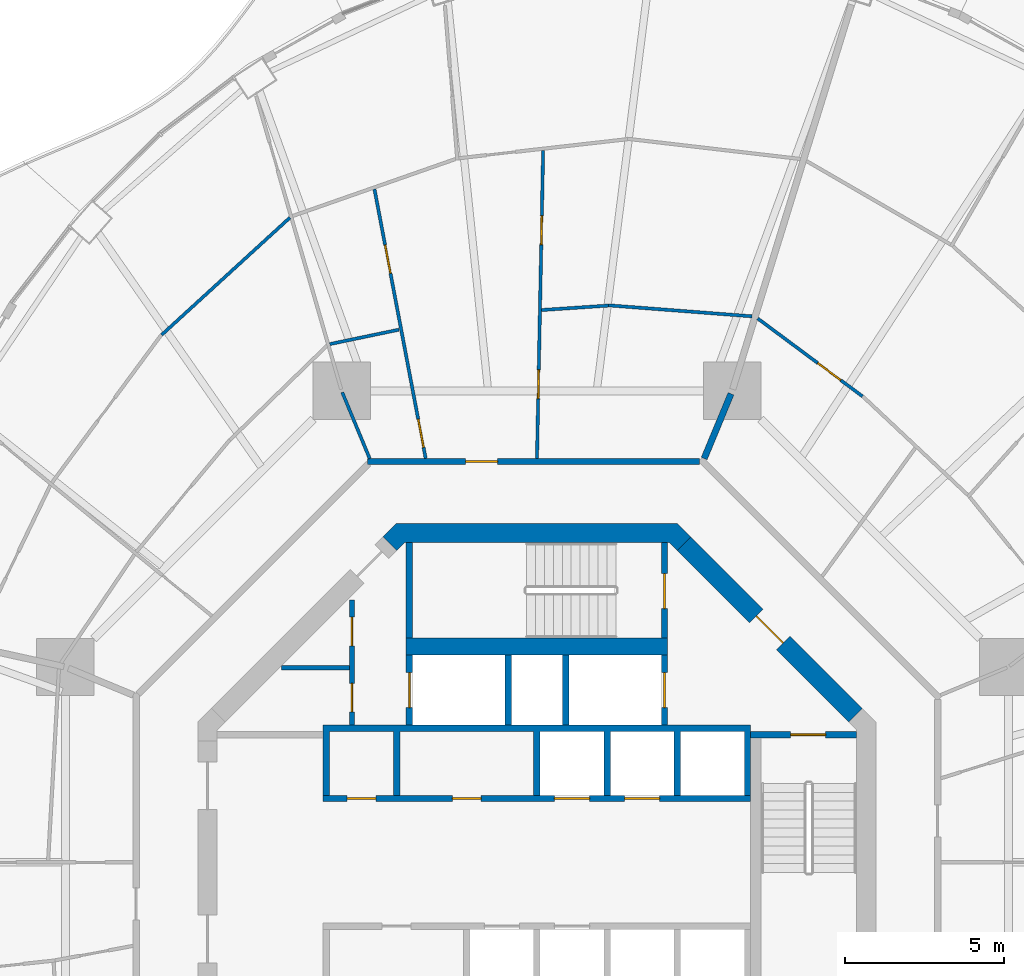
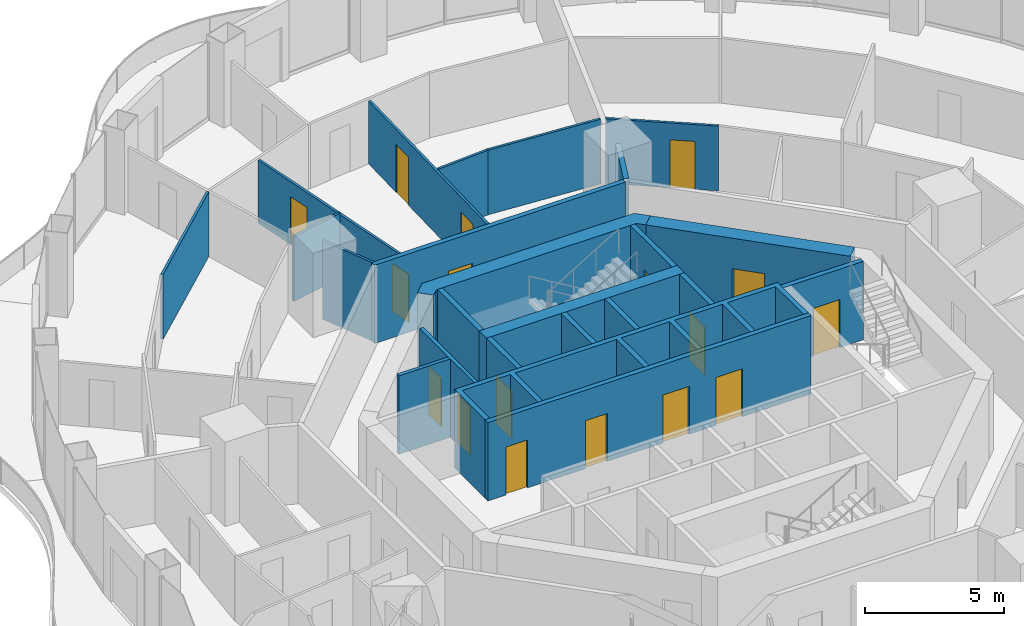
# One storey, part 14 of 19: 24 walls, 17 doors, 17 openings.
"""IFC4 building model written with IfcOpenShell, lengths in metres."""

from ifc_helpers import new_model, si_unit, direction, frame, frame_2d, origin, place, context, subcontext, project, spatial, polyline, rectangle, outline, extrude, material, layer, layer_set, type_object, element, fill, save


model = new_model("IFC4")

# Units and contexts
model_context = context("Model", 3, precision=1e-05, world=origin(), true_north=direction((0.0, 1.0)))
body_context = subcontext(model_context, "Body", "Model", "MODEL_VIEW")
ifc_project = project(units=[si_unit("LENGTHUNIT", "METRE"), si_unit("AREAUNIT", "SQUARE_METRE"), si_unit("VOLUMEUNIT", "CUBIC_METRE"), si_unit("PLANEANGLEUNIT", "RADIAN"), si_unit("MASSUNIT", "GRAM", prefix="KILO")], contexts=[model_context])

# Site, building, storey
site_placement = place(None, origin())
site = spatial("IfcSite", under=ifc_project, at=site_placement, CompositionType="ELEMENT")
building_placement = place(site_placement, origin())
building = spatial("IfcBuilding", under=site, at=building_placement, Name="Nagisa Residences", CompositionType="ELEMENT")
storey_placement = place(building_placement, frame((0.0, 0.0, 173.300048828125)))
storey = spatial("IfcBuildingStorey", under=building, at=storey_placement, Name="L43", CompositionType="ELEMENT", Elevation=173.300048828125)

# Wall
ifc_material_1 = material(Name="Gypsum board on steel studs", Category="steel")
ifc_layer_1 = layer(ifc_material_1, 0.199951171875)
ifc_layer_set_1 = layer_set([ifc_layer_1], Name="Apartment compartment wall EI60 200")
wall_type_1 = type_object("IfcWallType", Name="Apartment compartment wall EI60 200", PredefinedType="PARTITIONING", material=ifc_layer_set_1)
wall_1_placement = place(storey_placement, frame((5.24267578125, 12.6572265625, 0.0), z_axis=(0.0, 0.0, 1.0), x_axis=(0.382747093259, 0.923853160736, 0.0)))
element("IfcWall", 1, at=wall_1_placement, inside=storey, type_object=wall_type_1, Name="wall:L43:u00", PredefinedType="PARTITIONING", context=body_context, shape_type="SweptSolid", body=[
    extrude(rectangle(XDim=2.199951171875, YDim=0.199951171875, at=frame_2d((1.10009765625, 0.0))), origin(), (0.0, 0.0, 1.0), 3.43994140625),
])

# Wall, opening, door
ifc_material_2 = material(Name="Gypsum board on steel studs", Category="steel")
ifc_layer_2 = layer(ifc_material_2, 0.199951171875)
ifc_layer_set_2 = layer_set([ifc_layer_2], Name="Apartment entry wall EI60 200")
wall_type_2 = type_object("IfcWallType", Name="Apartment entry wall EI60 200", PredefinedType="PARTITIONING", material=ifc_layer_set_2)
wall_2_placement = place(storey_placement, frame((5.1044921875, 12.564697265625, 0.0), z_axis=(0.0, 0.0, 1.0), x_axis=(-1.0, 0.0, 0.0)))
wall_2 = element("IfcWall", 2, at=wall_2_placement, inside=storey, type_object=wall_type_2, Name="wall:L43:u10", PredefinedType="PARTITIONING", context=body_context, shape_type="SweptSolid", body=[
    extrude(rectangle(XDim=10.408935546875, YDim=0.199951171875, at=frame_2d((5.20458984375, 0.0))), origin(), (0.0, 0.0, 1.0), 3.43994140625),
])
opening_1_placement = place(wall_2_placement, frame((6.33935546875, 0.0, 0.0)))
opening_1 = element("IfcOpeningElement", 3, at=opening_1_placement, cuts=wall_2, Name="Opening L43-U15", PredefinedType="OPENING", context=body_context, shape_type="SweptSolid", body=[
    extrude(rectangle(XDim=1.0, YDim=2.10009765625, at=frame_2d((0.5, 1.050048828125))), frame((0.0, 0.10986328125, 0.0), z_axis=(0.0, -1.0, 0.0), x_axis=(1.0, 0.0, 0.0)), (0.0, 0.0, 1.0), 0.219970703125),
])
ifc_material_3 = material(Name="Timber fire door set", Category="wood")
door_type_1 = type_object("IfcDoorType", Name="Apartment entry door FD30S 1000x2100", OperationType="NOTDEFINED", PredefinedType="DOOR", material=ifc_material_3)
door_1_placement = place(opening_1_placement, frame((1.0, 0.0, 0.0), x_axis=(-1.0, 0.0, 0.0)))
door_1 = element("IfcDoor", 4, at=door_1_placement, inside=storey, type_object=door_type_1, Name="Entry door, Apartment 43B", OperationType="SINGLE_SWING_RIGHT", OverallHeight=2.10009765625, OverallWidth=1.0, PredefinedType="DOOR", context=body_context, shape_type="SweptSolid", body=[
    extrude(rectangle(XDim=1.0, YDim=2.10009765625, at=frame_2d((0.5, 1.050048828125))), frame((0.0, 0.02490234375, 0.0), z_axis=(0.0, -1.0, 0.0), x_axis=(1.0, 0.0, 0.0)), (0.0, 0.0, 1.0), 0.050048828125),
])
fill(opening_1, door_1)

ifc_material_4 = material(Name="Gypsum board on steel studs", Category="steel")
ifc_layer_3 = layer(ifc_material_4, 0.10009765625)
ifc_layer_set_3 = layer_set([ifc_layer_3], Name="Apartment partition 100")
wall_type_3 = type_object("IfcWallType", Name="Apartment partition 100", PredefinedType="PARTITIONING", material=ifc_layer_set_3)
wall_3_placement = place(storey_placement, frame((10.20654296875, 14.609619140625, 0.0), z_axis=(0.0, 0.0, 1.0), x_axis=(-0.802769141821, 0.596289950394, 0.0)))
wall_3 = element("IfcWall", 5, at=wall_3_placement, inside=storey, type_object=wall_type_3, Name="wall:L43:u32", PredefinedType="PARTITIONING", context=body_context, shape_type="SweptSolid", body=[
    extrude(rectangle(XDim=4.09228515625, YDim=0.10009765625, at=frame_2d((2.046142578125, 0.0))), origin(), (0.0, 0.0, 1.0), 2.8369140625),
])
opening_2_placement = place(wall_3_placement, frame((0.848388671875, 0.0, 0.0)))
opening_2 = element("IfcOpeningElement", 6, at=opening_2_placement, cuts=wall_3, Name="Opening L43-U14", PredefinedType="OPENING", context=body_context, shape_type="SweptSolid", body=[
    extrude(rectangle(XDim=0.89990234375, YDim=2.10009765625, at=frame_2d((0.449951171875, 1.050048828125))), frame((0.0, 0.06005859375, 0.0), z_axis=(0.0, -1.0, 0.0), x_axis=(1.0, 0.0, 0.0)), (0.0, 0.0, 1.0), 0.1201171875),
])
ifc_material_5 = material(Name="Timber door set", Category="wood")
door_type_2 = type_object("IfcDoorType", Name="Apartment door 900x2100", OperationType="NOTDEFINED", PredefinedType="DOOR", material=ifc_material_5)
door_2_placement = place(opening_2_placement, origin())
door_2 = element("IfcDoor", 7, at=door_2_placement, inside=storey, type_object=door_type_2, Name="Door to laundry, Apartment 43A", OperationType="SINGLE_SWING_RIGHT", OverallHeight=2.10009765625, OverallWidth=0.89990234375, PredefinedType="DOOR", context=body_context, shape_type="SweptSolid", body=[
    extrude(rectangle(XDim=0.89990234375, YDim=2.10009765625, at=frame_2d((0.449951171875, 1.050048828125))), frame((0.0, 0.02490234375, 0.0), z_axis=(0.0, -1.0, 0.0), x_axis=(1.0, 0.0, 0.0)), (0.0, 0.0, 1.0), 0.050048828125),
])
fill(opening_2, door_2)

# Walls
wall_4_placement = place(storey_placement, frame((6.7412109375, 17.1171875, 0.0), z_axis=(0.0, 0.0, 1.0), x_axis=(-0.997078320723, 0.076386008825, 0.0)))
element("IfcWall", 8, at=wall_4_placement, inside=storey, type_object=wall_type_3, Name="wall:L43:u35", PredefinedType="PARTITIONING", context=body_context, shape_type="SweptSolid", body=[
    extrude(rectangle(XDim=4.509765625, YDim=0.10009765625, at=frame_2d((2.2548828125, 0.0))), origin(), (0.0, 0.0, 1.0), 2.8369140625),
])
wall_5_placement = place(storey_placement, frame((2.244384765625, 17.45458984375, 0.0), z_axis=(0.0, 0.0, 1.0), x_axis=(-0.997756833447, -0.06694252243, 0.0)))
element("IfcWall", 9, at=wall_5_placement, inside=storey, type_object=wall_type_3, Name="wall:L43:u37", PredefinedType="PARTITIONING", context=body_context, shape_type="SweptSolid", body=[
    extrude(rectangle(XDim=2.104248046875, YDim=0.10009765625, at=frame_2d((1.05224609375, 0.0))), origin(), (0.0, 0.0, 1.0), 2.8369140625),
])

# Wall, openings, doors
wall_6_placement = place(storey_placement, frame((0.001953125, 12.664794921875, 0.0), z_axis=(0.0, 0.0, 1.0), x_axis=(0.019992969345, 0.999800120613, 0.0)))
wall_6 = element("IfcWall", 10, at=wall_6_placement, inside=storey, type_object=wall_type_3, Name="wall:L43:u39", PredefinedType="PARTITIONING", context=body_context, shape_type="SweptSolid", body=[
    extrude(rectangle(XDim=9.6591796875, YDim=0.10009765625, at=frame_2d((4.82958984375, 0.0))), origin(), (0.0, 0.0, 1.0), 2.755859375),
])
opening_3_placement = place(wall_6_placement, frame((1.873291015625, 0.0, 0.0)))
opening_3 = element("IfcOpeningElement", 11, at=opening_3_placement, cuts=wall_6, Name="Opening L43-U16", PredefinedType="OPENING", context=body_context, shape_type="SweptSolid", body=[
    extrude(rectangle(XDim=0.89990234375, YDim=2.10009765625, at=frame_2d((0.449951171875, 1.050048828125))), frame((0.0, 0.06005859375, 0.0), z_axis=(0.0, -1.0, 0.0), x_axis=(1.0, 0.0, 0.0)), (0.0, 0.0, 1.0), 0.1201171875),
])
opening_4_placement = place(wall_6_placement, frame((6.702880859375, 0.0, 0.0)))
opening_4 = element("IfcOpeningElement", 12, at=opening_4_placement, cuts=wall_6, Name="Opening L43-U18", PredefinedType="OPENING", context=body_context, shape_type="SweptSolid", body=[
    extrude(rectangle(XDim=0.89990234375, YDim=2.10009765625, at=frame_2d((0.449951171875, 1.050048828125))), frame((0.0, 0.06005859375, 0.0), z_axis=(0.0, -1.0, 0.0), x_axis=(1.0, 0.0, 0.0)), (0.0, 0.0, 1.0), 0.1201171875),
])
door_3_placement = place(opening_3_placement, frame((0.89990234375, 0.0, 0.0), x_axis=(-1.0, 0.0, 0.0)))
door_3 = element("IfcDoor", 13, at=door_3_placement, inside=storey, type_object=door_type_2, Name="Door to store, Apartment 43B", OperationType="SINGLE_SWING_LEFT", OverallHeight=2.10009765625, OverallWidth=0.89990234375, PredefinedType="DOOR", context=body_context, shape_type="SweptSolid", body=[
    extrude(rectangle(XDim=0.89990234375, YDim=2.10009765625, at=frame_2d((0.449951171875, 1.050048828125))), frame((0.0, 0.02490234375, 0.0), z_axis=(0.0, -1.0, 0.0), x_axis=(1.0, 0.0, 0.0)), (0.0, 0.0, 1.0), 0.050048828125),
])
fill(opening_3, door_3)
door_4_placement = place(opening_4_placement, frame((0.89990234375, 0.0, 0.0), x_axis=(-1.0, 0.0, 0.0)))
door_4 = element("IfcDoor", 14, at=door_4_placement, inside=storey, type_object=door_type_2, Name="Door to study, Apartment 43B", OperationType="SINGLE_SWING_LEFT", OverallHeight=2.10009765625, OverallWidth=0.89990234375, PredefinedType="DOOR", context=body_context, shape_type="SweptSolid", body=[
    extrude(rectangle(XDim=0.89990234375, YDim=2.10009765625, at=frame_2d((0.449951171875, 1.050048828125))), frame((0.0, 0.02490234375, 0.0), z_axis=(0.0, -1.0, 0.0), x_axis=(1.0, 0.0, 0.0)), (0.0, 0.0, 1.0), 0.050048828125),
])
fill(opening_4, door_4)

wall_7_placement = place(storey_placement, frame((-3.48828125, 12.6630859375, 0.0), z_axis=(0.0, 0.0, 1.0), x_axis=(-0.186783185485, 0.982401161247, 0.0)))
wall_7 = element("IfcWall", 15, at=wall_7_placement, inside=storey, type_object=wall_type_3, Name="wall:L43:u42", PredefinedType="PARTITIONING", context=body_context, shape_type="SweptSolid", body=[
    extrude(rectangle(XDim=8.595458984375, YDim=0.10009765625, at=frame_2d((4.2978515625, 0.0))), origin(), (0.0, 0.0, 1.0), 2.755859375),
])
opening_5_placement = place(wall_7_placement, frame((0.35009765625, 0.0, 0.0)))
opening_5 = element("IfcOpeningElement", 16, at=opening_5_placement, cuts=wall_7, Name="Opening L43-U17", PredefinedType="OPENING", context=body_context, shape_type="SweptSolid", body=[
    extrude(rectangle(XDim=0.89990234375, YDim=2.10009765625, at=frame_2d((0.449951171875, 1.050048828125))), frame((0.0, 0.06005859375, 0.0), z_axis=(0.0, -1.0, 0.0), x_axis=(1.0, 0.0, 0.0)), (0.0, 0.0, 1.0), 0.1201171875),
])
opening_6_placement = place(wall_7_placement, frame((5.908447265625, 0.0, 0.0)))
opening_6 = element("IfcOpeningElement", 17, at=opening_6_placement, cuts=wall_7, Name="Opening L43-U19", PredefinedType="OPENING", context=body_context, shape_type="SweptSolid", body=[
    extrude(rectangle(XDim=0.89990234375, YDim=2.10009765625, at=frame_2d((0.449951171875, 1.050048828125))), frame((0.0, 0.06005859375, 0.0), z_axis=(0.0, -1.0, 0.0), x_axis=(1.0, 0.0, 0.0)), (0.0, 0.0, 1.0), 0.1201171875),
])
door_5_placement = place(opening_5_placement, origin())
door_5 = element("IfcDoor", 18, at=door_5_placement, inside=storey, type_object=door_type_2, Name="Door to family bathroom, Apartment 43B", OperationType="SINGLE_SWING_LEFT", OverallHeight=2.10009765625, OverallWidth=0.89990234375, PredefinedType="DOOR", context=body_context, shape_type="SweptSolid", body=[
    extrude(rectangle(XDim=0.89990234375, YDim=2.10009765625, at=frame_2d((0.449951171875, 1.050048828125))), frame((0.0, 0.02490234375, 0.0), z_axis=(0.0, -1.0, 0.0), x_axis=(1.0, 0.0, 0.0)), (0.0, 0.0, 1.0), 0.050048828125),
])
fill(opening_5, door_5)
door_6_placement = place(opening_6_placement, origin())
door_6 = element("IfcDoor", 19, at=door_6_placement, inside=storey, type_object=door_type_2, Name="Door to family bathroom, Apartment 43B", OperationType="SINGLE_SWING_LEFT", OverallHeight=2.10009765625, OverallWidth=0.89990234375, PredefinedType="DOOR", context=body_context, shape_type="SweptSolid", body=[
    extrude(rectangle(XDim=0.89990234375, YDim=2.10009765625, at=frame_2d((0.449951171875, 1.050048828125))), frame((0.0, 0.02490234375, 0.0), z_axis=(0.0, -1.0, 0.0), x_axis=(1.0, 0.0, 0.0)), (0.0, 0.0, 1.0), 0.050048828125),
])
fill(opening_6, door_6)

# Walls
wall_8_placement = place(storey_placement, frame((-4.324462890625, 16.69921875, 0.0), z_axis=(0.0, 0.0, 1.0), x_axis=(-0.978908011866, -0.204301503432, 0.0)))
element("IfcWall", 20, at=wall_8_placement, inside=storey, type_object=wall_type_3, Name="wall:L43:u43", PredefinedType="PARTITIONING", context=body_context, shape_type="SweptSolid", body=[
    extrude(rectangle(XDim=2.218017578125, YDim=0.10009765625, at=frame_2d((1.10888671875, 0.0))), origin(), (0.0, 0.0, 1.0), 2.8369140625),
])
wall_9_placement = place(storey_placement, frame((-5.24267578125, 12.6572265625, 0.0), z_axis=(0.0, 0.0, 1.0), x_axis=(-0.382719158442, 0.923864733477, 0.0)))
element("IfcWall", 21, at=wall_9_placement, inside=storey, type_object=wall_type_3, Name="wall:L43:u44", PredefinedType="PARTITIONING", context=body_context, shape_type="SweptSolid", body=[
    extrude(rectangle(XDim=2.25, YDim=0.10009765625, at=frame_2d((1.125, 0.0))), origin(), (0.0, 0.0, 1.0), 3.43994140625),
])
wall_10_placement = place(storey_placement, frame((-7.743896484375, 20.211669921875, 0.0), z_axis=(0.0, 0.0, 1.0), x_axis=(-0.738051761282, -0.674744097913, 0.0)))
element("IfcWall", 22, at=wall_10_placement, inside=storey, type_object=wall_type_3, Name="wall:L43:u47", PredefinedType="PARTITIONING", context=body_context, shape_type="SweptSolid", body=[
    extrude(rectangle(XDim=5.44921875, YDim=0.10009765625, at=frame_2d((2.724609375, 0.0))), origin(), (0.0, 0.0, 1.0), 2.8369140625),
])

# Wall, openings, doors
ifc_material_6 = material(Name="Gypsum board on steel studs", Category="steel")
ifc_layer_4 = layer(ifc_material_6, 0.14990234375)
ifc_layer_set_4 = layer_set([ifc_layer_4], Name="Core partition 150")
wall_type_4 = type_object("IfcWallType", Name="Core partition 150", PredefinedType="PARTITIONING", material=ifc_layer_set_4)
wall_11_placement = place(storey_placement, frame((-5.800048828125, 4.300048828125, 0.0), z_axis=(0.0, 0.0, 1.0), x_axis=(0.0, 1.0, 0.0)))
wall_11 = element("IfcWall", 23, at=wall_11_placement, inside=storey, type_object=wall_type_4, Name="wall:L43:NWp", PredefinedType="PARTITIONING", context=body_context, shape_type="SweptSolid", body=[
    extrude(rectangle(XDim=3.927001953125, YDim=0.14990234375, at=frame_2d((1.96337890625, 0.0))), origin(), (0.0, 0.0, 1.0), 3.43994140625),
])
opening_7_placement = place(wall_11_placement, frame((0.41259765625, 0.0, 0.0)))
opening_7 = element("IfcOpeningElement", 24, at=opening_7_placement, cuts=wall_11, Name="Opening L43-C11", PredefinedType="OPENING", context=body_context, shape_type="SweptSolid", body=[
    extrude(rectangle(XDim=0.89990234375, YDim=2.10009765625, at=frame_2d((0.449951171875, 1.050048828125))), frame((0.0, 0.0849609375, 0.0), z_axis=(0.0, -1.0, 0.0), x_axis=(1.0, 0.0, 0.0)), (0.0, 0.0, 1.0), 0.169921875),
])
opening_8_placement = place(wall_11_placement, frame((2.488525390625, 0.0, 0.0)))
opening_8 = element("IfcOpeningElement", 25, at=opening_8_placement, cuts=wall_11, Name="Opening L43-C12", PredefinedType="OPENING", context=body_context, shape_type="SweptSolid", body=[
    extrude(rectangle(XDim=0.89990234375, YDim=2.10009765625, at=frame_2d((0.449951171875, 1.050048828125))), frame((0.0, 0.0849609375, 0.0), z_axis=(0.0, -1.0, 0.0), x_axis=(1.0, 0.0, 0.0)), (0.0, 0.0, 1.0), 0.169921875),
])
ifc_material_7 = material(Name="Steel fire door", Category="steel")
door_type_3 = type_object("IfcDoorType", Name="Fire door EI30 900x2100 single swing", OperationType="NOTDEFINED", PredefinedType="DOOR", material=ifc_material_7)
door_7_placement = place(opening_7_placement, origin())
door_7 = element("IfcDoor", 26, at=door_7_placement, inside=storey, type_object=door_type_3, Name="Staff WC door L43", OperationType="SINGLE_SWING_LEFT", OverallHeight=2.10009765625, OverallWidth=0.89990234375, PredefinedType="DOOR", context=body_context, shape_type="SweptSolid", body=[
    extrude(rectangle(XDim=0.89990234375, YDim=2.10009765625, at=frame_2d((0.449951171875, 1.050048828125))), frame((0.0, 0.02490234375, 0.0), z_axis=(0.0, -1.0, 0.0), x_axis=(1.0, 0.0, 0.0)), (0.0, 0.0, 1.0), 0.050048828125),
])
fill(opening_7, door_7)
door_8_placement = place(opening_8_placement, origin())
door_8 = element("IfcDoor", 27, at=door_8_placement, inside=storey, type_object=door_type_3, Name="Janitor door L43", OperationType="SINGLE_SWING_LEFT", OverallHeight=2.10009765625, OverallWidth=0.89990234375, PredefinedType="DOOR", context=body_context, shape_type="SweptSolid", body=[
    extrude(rectangle(XDim=0.89990234375, YDim=2.10009765625, at=frame_2d((0.449951171875, 1.050048828125))), frame((0.0, 0.02490234375, 0.0), z_axis=(0.0, -1.0, 0.0), x_axis=(1.0, 0.0, 0.0)), (0.0, 0.0, 1.0), 0.050048828125),
])
fill(opening_8, door_8)

# Wall
wall_12_placement = place(storey_placement, frame((-8.0009765625, 6.10009765625, 0.0), z_axis=(0.0, 0.0, 1.0), x_axis=(1.0, 0.0, 0.0)))
element("IfcWall", 28, at=wall_12_placement, inside=storey, type_object=wall_type_4, Name="wall:L43:NWq", PredefinedType="PARTITIONING", context=body_context, shape_type="SweptSolid", body=[
    extrude(rectangle(XDim=2.1259765625, YDim=0.14990234375, at=frame_2d((1.06298828125, 0.0))), origin(), (0.0, 0.0, 1.0), 3.43994140625),
])

# Wall, opening, door
ifc_material_8 = material(Name="Concrete C60", Category="concrete")
ifc_layer_5 = layer(ifc_material_8, 0.60009765625)
ifc_layer_set_5 = layer_set([ifc_layer_5], Name="Core shear wall 600")
wall_type_5 = type_object("IfcWallType", Name="Core shear wall 600", PredefinedType="SHEAR", material=ifc_layer_set_5)
wall_13_placement = place(storey_placement, frame((9.98828125, 4.613037109375, 0.0), z_axis=(0.0, 0.0, 1.0), x_axis=(-0.707106781187, 0.707106781187, 0.0)))
wall_13 = element("IfcWall", 29, at=wall_13_placement, inside=storey, type_object=wall_type_5, Name="wall:L43:core:flat1", PredefinedType="SHEAR", context=body_context, shape_type="SweptSolid", body=[
    extrude(rectangle(XDim=7.601806640625, YDim=0.60009765625, at=frame_2d((3.80078125, 0.0))), origin(), (0.0, 0.0, 1.0), 3.43994140625),
])
opening_9_placement = place(wall_13_placement, frame((3.200927734375, 0.0, 0.0)))
opening_9 = element("IfcOpeningElement", 30, at=opening_9_placement, cuts=wall_13, Name="Opening L43-C18", PredefinedType="OPENING", context=body_context, shape_type="SweptSolid", body=[
    extrude(rectangle(XDim=1.199951171875, YDim=2.10009765625, at=frame_2d((0.60009765625, 1.050048828125))), frame((0.0, 0.31005859375, 0.0), z_axis=(0.0, -1.0, 0.0), x_axis=(1.0, 0.0, 0.0)), (0.0, 0.0, 1.0), 0.6201171875),
])
ifc_material_9 = material(Name="Steel fire door", Category="steel")
door_type_4 = type_object("IfcDoorType", Name="Fire door EI60 1200x2100 single swing", OperationType="NOTDEFINED", PredefinedType="DOOR", material=ifc_material_9)
door_9_placement = place(opening_9_placement, origin())
door_9 = element("IfcDoor", 31, at=door_9_placement, inside=storey, type_object=door_type_4, Name="Firefighting lobby 1 door L43", OperationType="SINGLE_SWING_RIGHT", OverallHeight=2.10009765625, OverallWidth=1.199951171875, PredefinedType="DOOR", context=body_context, shape_type="SweptSolid", body=[
    extrude(rectangle(XDim=1.199951171875, YDim=2.10009765625, at=frame_2d((0.60009765625, 1.050048828125))), frame((0.0, 0.02490234375, 0.0), z_axis=(0.0, -1.0, 0.0), x_axis=(1.0, 0.0, 0.0)), (0.0, 0.0, 1.0), 0.050048828125),
])
fill(opening_9, door_9)

# Wall
wall_14_placement = place(storey_placement, origin())
element("IfcWall", 32, at=wall_14_placement, inside=storey, type_object=wall_type_5, Name="wall:L43:core:flat2", PredefinedType="SHEAR", context=body_context, shape_type="SweptSolid", body=[
    extrude(outline(polyline([(-4.15234375, 10.024658203125), (-4.40087890625, 9.776123046875), (-4.8251953125, 10.200439453125), (-4.40087890625, 10.62451171875), (4.40087890625, 10.62451171875), (4.8251953125, 10.200439453125), (4.40087890625, 9.776123046875), (4.15234375, 10.024658203125), (-4.15234375, 10.024658203125)])), origin(), (0.0, 0.0, 1.0), 3.43994140625),
])

# Wall, opening, door
ifc_material_10 = material(Name="Concrete C60", Category="concrete")
ifc_layer_6 = layer(ifc_material_10, 0.199951171875)
ifc_layer_set_6 = layer_set([ifc_layer_6], Name="Lift shaft wall 200")
wall_type_6 = type_object("IfcWallType", Name="Lift shaft wall 200", PredefinedType="SOLIDWALL", material=ifc_layer_set_6)
wall_15_placement = place(storey_placement, frame((4.0, 4.300048828125, 0.0), z_axis=(0.0, 0.0, 1.0), x_axis=(0.0, 1.0, 0.0)))
wall_15 = element("IfcWall", 33, at=wall_15_placement, inside=storey, type_object=wall_type_6, Name="wall:L43:Nb3", PredefinedType="SOLIDWALL", context=body_context, shape_type="SweptSolid", body=[
    extrude(rectangle(XDim=2.199951171875, YDim=0.199951171875, at=frame_2d((1.10009765625, 0.0))), origin(), (0.0, 0.0, 1.0), 3.43994140625),
])
opening_10_placement = place(wall_15_placement, frame((0.550048828125, 0.0, 0.0)))
opening_10 = element("IfcOpeningElement", 34, at=opening_10_placement, cuts=wall_15, Name="Opening L43-C05", PredefinedType="OPENING", context=body_context, shape_type="SweptSolid", body=[
    extrude(rectangle(XDim=1.10009765625, YDim=2.10009765625, at=frame_2d((0.550048828125, 1.050048828125))), frame((0.0, 0.10986328125, 0.0), z_axis=(0.0, -1.0, 0.0), x_axis=(1.0, 0.0, 0.0)), (0.0, 0.0, 1.0), 0.219970703125),
])
ifc_material_11 = material(Name="Stainless steel", Category="steel")
door_type_5 = type_object("IfcDoorType", Name="Lift landing door 1100x2100", OperationType="DOUBLE_DOOR_SLIDING", PredefinedType="DOOR", material=ifc_material_11)
door_10_placement = place(opening_10_placement, origin())
door_10 = element("IfcDoor", 35, at=door_10_placement, inside=storey, type_object=door_type_5, Name="Landing door FL1 L43", OperationType="DOUBLE_DOOR_SLIDING", OverallHeight=2.10009765625, OverallWidth=1.10009765625, PredefinedType="DOOR", context=body_context, shape_type="SweptSolid", body=[
    extrude(rectangle(XDim=1.10009765625, YDim=2.10009765625, at=frame_2d((0.550048828125, 1.050048828125))), frame((0.0, 0.02490234375, 0.0), z_axis=(0.0, -1.0, 0.0), x_axis=(1.0, 0.0, 0.0)), (0.0, 0.0, 1.0), 0.050048828125),
])
fill(opening_10, door_10)

wall_16_placement = place(storey_placement, frame((-4.0, 4.300048828125, 0.0), z_axis=(0.0, 0.0, 1.0), x_axis=(0.0, 1.0, 0.0)))
wall_16 = element("IfcWall", 36, at=wall_16_placement, inside=storey, type_object=wall_type_6, Name="wall:L43:Nb4", PredefinedType="SOLIDWALL", context=body_context, shape_type="SweptSolid", body=[
    extrude(rectangle(XDim=2.199951171875, YDim=0.199951171875, at=frame_2d((1.10009765625, 0.0))), origin(), (0.0, 0.0, 1.0), 3.43994140625),
])
opening_11_placement = place(wall_16_placement, frame((0.550048828125, 0.0, 0.0)))
opening_11 = element("IfcOpeningElement", 37, at=opening_11_placement, cuts=wall_16, Name="Opening L43-C07", PredefinedType="OPENING", context=body_context, shape_type="SweptSolid", body=[
    extrude(rectangle(XDim=1.10009765625, YDim=2.10009765625, at=frame_2d((0.550048828125, 1.050048828125))), frame((0.0, 0.10986328125, 0.0), z_axis=(0.0, -1.0, 0.0), x_axis=(1.0, 0.0, 0.0)), (0.0, 0.0, 1.0), 0.219970703125),
])
door_11_placement = place(opening_11_placement, origin())
door_11 = element("IfcDoor", 38, at=door_11_placement, inside=storey, type_object=door_type_5, Name="Landing door SV L43", OperationType="DOUBLE_DOOR_SLIDING", OverallHeight=2.10009765625, OverallWidth=1.10009765625, PredefinedType="DOOR", context=body_context, shape_type="SweptSolid", body=[
    extrude(rectangle(XDim=1.10009765625, YDim=2.10009765625, at=frame_2d((0.550048828125, 1.050048828125))), frame((0.0, 0.02490234375, 0.0), z_axis=(0.0, -1.0, 0.0), x_axis=(1.0, 0.0, 0.0)), (0.0, 0.0, 1.0), 0.050048828125),
])
fill(opening_11, door_11)

# Wall, openings, doors
wall_17_placement = place(storey_placement, frame((-6.699951171875, 2.0, 0.0), z_axis=(0.0, 0.0, 1.0), x_axis=(1.0, 0.0, 0.0)))
wall_17 = element("IfcWall", 39, at=wall_17_placement, inside=storey, type_object=wall_type_6, Name="wall:L43:Nfront", PredefinedType="SOLIDWALL", context=body_context, shape_type="SweptSolid", body=[
    extrude(rectangle(XDim=13.39990234375, YDim=0.199951171875, at=frame_2d((6.699951171875, 0.0))), origin(), (0.0, 0.0, 1.0), 3.43994140625),
])
opening_12_placement = place(wall_17_placement, frame((7.25, 0.0, 0.0)))
opening_12 = element("IfcOpeningElement", 40, at=opening_12_placement, cuts=wall_17, Name="Opening L43-C01", PredefinedType="OPENING", context=body_context, shape_type="SweptSolid", body=[
    extrude(rectangle(XDim=1.10009765625, YDim=2.10009765625, at=frame_2d((0.550048828125, 1.050048828125))), frame((0.0, 0.10986328125, 0.0), z_axis=(0.0, -1.0, 0.0), x_axis=(1.0, 0.0, 0.0)), (0.0, 0.0, 1.0), 0.219970703125),
])
opening_13_placement = place(wall_17_placement, frame((9.449951171875, 0.0, 0.0)))
opening_13 = element("IfcOpeningElement", 41, at=opening_13_placement, cuts=wall_17, Name="Opening L43-C02", PredefinedType="OPENING", context=body_context, shape_type="SweptSolid", body=[
    extrude(rectangle(XDim=1.10009765625, YDim=2.10009765625, at=frame_2d((0.550048828125, 1.050048828125))), frame((0.0, 0.10986328125, 0.0), z_axis=(0.0, -1.0, 0.0), x_axis=(1.0, 0.0, 0.0)), (0.0, 0.0, 1.0), 0.219970703125),
])
opening_14_placement = place(wall_17_placement, frame((0.75, 0.0, 0.0)))
opening_14 = element("IfcOpeningElement", 42, at=opening_14_placement, cuts=wall_17, Name="Opening L43-C15", PredefinedType="OPENING", context=body_context, shape_type="SweptSolid", body=[
    extrude(rectangle(XDim=0.89990234375, YDim=2.10009765625, at=frame_2d((0.449951171875, 1.050048828125))), frame((0.0, 0.10986328125, 0.0), z_axis=(0.0, -1.0, 0.0), x_axis=(1.0, 0.0, 0.0)), (0.0, 0.0, 1.0), 0.219970703125),
])
opening_15_placement = place(wall_17_placement, frame((4.050048828125, 0.0, 0.0)))
opening_15 = element("IfcOpeningElement", 43, at=opening_15_placement, cuts=wall_17, Name="Opening L43-C16", PredefinedType="OPENING", context=body_context, shape_type="SweptSolid", body=[
    extrude(rectangle(XDim=0.89990234375, YDim=2.10009765625, at=frame_2d((0.449951171875, 1.050048828125))), frame((0.0, 0.10986328125, 0.0), z_axis=(0.0, -1.0, 0.0), x_axis=(1.0, 0.0, 0.0)), (0.0, 0.0, 1.0), 0.219970703125),
])
door_12_placement = place(opening_14_placement, origin())
door_12 = element("IfcDoor", 44, at=door_12_placement, inside=storey, type_object=door_type_3, Name="Stationery store door L43", OperationType="SINGLE_SWING_RIGHT", OverallHeight=2.10009765625, OverallWidth=0.89990234375, PredefinedType="DOOR", context=body_context, shape_type="SweptSolid", body=[
    extrude(rectangle(XDim=0.89990234375, YDim=2.10009765625, at=frame_2d((0.449951171875, 1.050048828125))), frame((0.0, 0.02490234375, 0.0), z_axis=(0.0, -1.0, 0.0), x_axis=(1.0, 0.0, 0.0)), (0.0, 0.0, 1.0), 0.050048828125),
])
fill(opening_14, door_12)
door_13_placement = place(opening_15_placement, origin())
door_13 = element("IfcDoor", 45, at=door_13_placement, inside=storey, type_object=door_type_3, Name="Wine store door L43", OperationType="SINGLE_SWING_RIGHT", OverallHeight=2.10009765625, OverallWidth=0.89990234375, PredefinedType="DOOR", context=body_context, shape_type="SweptSolid", body=[
    extrude(rectangle(XDim=0.89990234375, YDim=2.10009765625, at=frame_2d((0.449951171875, 1.050048828125))), frame((0.0, 0.02490234375, 0.0), z_axis=(0.0, -1.0, 0.0), x_axis=(1.0, 0.0, 0.0)), (0.0, 0.0, 1.0), 0.050048828125),
])
fill(opening_15, door_13)
door_14_placement = place(opening_12_placement, origin())
door_14 = element("IfcDoor", 46, at=door_14_placement, inside=storey, type_object=door_type_5, Name="Landing door B1 L43", OperationType="DOUBLE_DOOR_SLIDING", OverallHeight=2.10009765625, OverallWidth=1.10009765625, PredefinedType="DOOR", context=body_context, shape_type="SweptSolid", body=[
    extrude(rectangle(XDim=1.10009765625, YDim=2.10009765625, at=frame_2d((0.550048828125, 1.050048828125))), frame((0.0, 0.02490234375, 0.0), z_axis=(0.0, -1.0, 0.0), x_axis=(1.0, 0.0, 0.0)), (0.0, 0.0, 1.0), 0.050048828125),
])
fill(opening_12, door_14)
door_15_placement = place(opening_13_placement, origin())
door_15 = element("IfcDoor", 47, at=door_15_placement, inside=storey, type_object=door_type_5, Name="Landing door B2 L43", OperationType="DOUBLE_DOOR_SLIDING", OverallHeight=2.10009765625, OverallWidth=1.10009765625, PredefinedType="DOOR", context=body_context, shape_type="SweptSolid", body=[
    extrude(rectangle(XDim=1.10009765625, YDim=2.10009765625, at=frame_2d((0.550048828125, 1.050048828125))), frame((0.0, 0.02490234375, 0.0), z_axis=(0.0, -1.0, 0.0), x_axis=(1.0, 0.0, 0.0)), (0.0, 0.0, 1.0), 0.050048828125),
])
fill(opening_13, door_15)

# Walls
for number, where, z_axis, x_axis, name in (
    (48, (-0.89990234375, 4.300048828125, 0.0), (0.0, 0.0, 1.0), (0.0, 1.0, 0.0), "wall:L43:Nb1"),
    (49, (0.89990234375, 4.300048828125, 0.0), (0.0, 0.0, 1.0), (0.0, 1.0, 0.0), "wall:L43:Nb2"),
):
    element("IfcWall", number, at=place(storey_placement, frame(where, z_axis=z_axis, x_axis=x_axis)), inside=storey, type_object=wall_type_6, Name=name, PredefinedType="SOLIDWALL", context=body_context, shape_type="SweptSolid", body=[
        extrude(rectangle(XDim=2.199951171875, YDim=0.199951171875, at=frame_2d((1.10009765625, 0.0))), origin(), (0.0, 0.0, 1.0), 3.43994140625),
    ])
wall_18_placement = place(storey_placement, origin())
element("IfcWall", 50, at=wall_18_placement, inside=storey, type_object=wall_type_6, Name="wall:L43:Nback", PredefinedType="SOLIDWALL", context=body_context, shape_type="SweptSolid", body=[
    extrude(outline(polyline([(-6.699951171875, 4.300048828125), (6.699951171875, 4.300048828125), (6.699951171875, 2.10009765625), (6.5, 2.10009765625), (6.5, 4.10009765625), (4.5, 4.10009765625), (4.5, 2.10009765625), (4.300048828125, 2.10009765625), (4.300048828125, 4.10009765625), (2.300048828125, 4.10009765625), (2.300048828125, 2.10009765625), (2.10009765625, 2.10009765625), (2.10009765625, 4.10009765625), (0.10009765625, 4.10009765625), (0.10009765625, 2.10009765625), (-0.10009765625, 2.10009765625), (-0.10009765625, 4.10009765625), (-4.300048828125, 4.10009765625), (-4.300048828125, 2.10009765625), (-4.5, 2.10009765625), (-4.5, 4.10009765625), (-6.5, 4.10009765625), (-6.5, 2.10009765625), (-6.699951171875, 2.10009765625), (-6.699951171875, 4.300048828125)])), origin(), (0.0, 0.0, 1.0), 3.43994140625),
])

# Wall, opening, door
ifc_material_12 = material(Name="Concrete C60", Category="concrete")
ifc_layer_7 = layer(ifc_material_12, 0.199951171875)
ifc_layer_set_7 = layer_set([ifc_layer_7], Name="Stair enclosure wall 200")
wall_type_7 = type_object("IfcWallType", Name="Stair enclosure wall 200", PredefinedType="SOLIDWALL", material=ifc_layer_set_7)
wall_19_placement = place(storey_placement, frame((6.699951171875, 4.0, 0.0), z_axis=(0.0, 0.0, 1.0), x_axis=(1.0, 0.0, 0.0)))
wall_19 = element("IfcWall", 51, at=wall_19_placement, inside=storey, type_object=wall_type_7, Name="wall:L43:SE_n", PredefinedType="SOLIDWALL", context=body_context, shape_type="SweptSolid", body=[
    extrude(rectangle(XDim=3.32470703125, YDim=0.199951171875, at=frame_2d((1.662353515625, 0.0))), origin(), (0.0, 0.0, 1.0), 3.43994140625),
])
opening_16_placement = place(wall_19_placement, frame((1.25, 0.0, 0.0)))
opening_16 = element("IfcOpeningElement", 52, at=opening_16_placement, cuts=wall_19, Name="Opening L43-C08", PredefinedType="OPENING", context=body_context, shape_type="SweptSolid", body=[
    extrude(rectangle(XDim=1.10009765625, YDim=2.10009765625, at=frame_2d((0.550048828125, 1.050048828125))), frame((0.0, 0.10986328125, 0.0), z_axis=(0.0, -1.0, 0.0), x_axis=(1.0, 0.0, 0.0)), (0.0, 0.0, 1.0), 0.219970703125),
])
ifc_material_13 = material(Name="Steel fire door", Category="steel")
door_type_6 = type_object("IfcDoorType", Name="Fire door EI90 1100x2100 single swing", OperationType="NOTDEFINED", PredefinedType="DOOR", material=ifc_material_13)
door_16_placement = place(opening_16_placement, frame((1.10009765625, 0.0, 0.0), x_axis=(-1.0, 0.0, 0.0)))
door_16 = element("IfcDoor", 53, at=door_16_placement, inside=storey, type_object=door_type_6, Name="Stair door ST-E L43", OperationType="SINGLE_SWING_LEFT", OverallHeight=2.10009765625, OverallWidth=1.10009765625, PredefinedType="DOOR", context=body_context, shape_type="SweptSolid", body=[
    extrude(rectangle(XDim=1.10009765625, YDim=2.10009765625, at=frame_2d((0.550048828125, 1.050048828125))), frame((0.0, 0.02490234375, 0.0), z_axis=(0.0, -1.0, 0.0), x_axis=(1.0, 0.0, 0.0)), (0.0, 0.0, 1.0), 0.050048828125),
])
fill(opening_16, door_16)

wall_20_placement = place(storey_placement, frame((4.0, 7.024658203125, 0.0), z_axis=(0.0, 0.0, 1.0), x_axis=(0.0, 1.0, 0.0)))
wall_20 = element("IfcWall", 54, at=wall_20_placement, inside=storey, type_object=wall_type_7, Name="wall:L43:SN_e", PredefinedType="SOLIDWALL", context=body_context, shape_type="SweptSolid", body=[
    extrude(rectangle(XDim=3.0, YDim=0.199951171875, at=frame_2d((1.5, 0.0))), origin(), (0.0, 0.0, 1.0), 3.43994140625),
])
opening_17_placement = place(wall_20_placement, frame((0.92529296875, 0.0, 0.0)))
opening_17 = element("IfcOpeningElement", 55, at=opening_17_placement, cuts=wall_20, Name="Opening L43-C09", PredefinedType="OPENING", context=body_context, shape_type="SweptSolid", body=[
    extrude(rectangle(XDim=1.10009765625, YDim=2.10009765625, at=frame_2d((0.550048828125, 1.050048828125))), frame((0.0, 0.10986328125, 0.0), z_axis=(0.0, -1.0, 0.0), x_axis=(1.0, 0.0, 0.0)), (0.0, 0.0, 1.0), 0.219970703125),
])
door_17_placement = place(opening_17_placement, origin())
door_17 = element("IfcDoor", 56, at=door_17_placement, inside=storey, type_object=door_type_6, Name="Stair door ST-N L43", OperationType="SINGLE_SWING_RIGHT", OverallHeight=2.10009765625, OverallWidth=1.10009765625, PredefinedType="DOOR", context=body_context, shape_type="SweptSolid", body=[
    extrude(rectangle(XDim=1.10009765625, YDim=2.10009765625, at=frame_2d((0.550048828125, 1.050048828125))), frame((0.0, 0.02490234375, 0.0), z_axis=(0.0, -1.0, 0.0), x_axis=(1.0, 0.0, 0.0)), (0.0, 0.0, 1.0), 0.050048828125),
])
fill(opening_17, door_17)

# Walls
wall_21_placement = place(storey_placement, origin())
element("IfcWall", 57, at=wall_21_placement, inside=storey, type_object=wall_type_7, Name="wall:L43:SN_w", PredefinedType="SOLIDWALL", context=body_context, shape_type="SweptSolid", body=[
    extrude(outline(polyline([(-3.89990234375, 7.024658203125), (-4.10009765625, 7.024658203125), (-4.10009765625, 10.024658203125), (-3.89990234375, 10.024658203125), (-3.89990234375, 7.024658203125)])), origin(), (0.0, 0.0, 1.0), 3.43994140625),
])
wall_22_placement = place(storey_placement, origin())
element("IfcWall", 58, at=wall_22_placement, inside=storey, type_object=wall_type_7, Name="wall:L43:SN_s", PredefinedType="SOLIDWALL", context=body_context, shape_type="SweptSolid", body=[
    extrude(outline(polyline([(4.10009765625, 6.5), (-4.10009765625, 6.5), (-4.10009765625, 7.024658203125), (4.10009765625, 7.024658203125), (4.10009765625, 6.5)])), origin(), (0.0, 0.0, 1.0), 3.43994140625),
])

save(model, "model.ifc")
